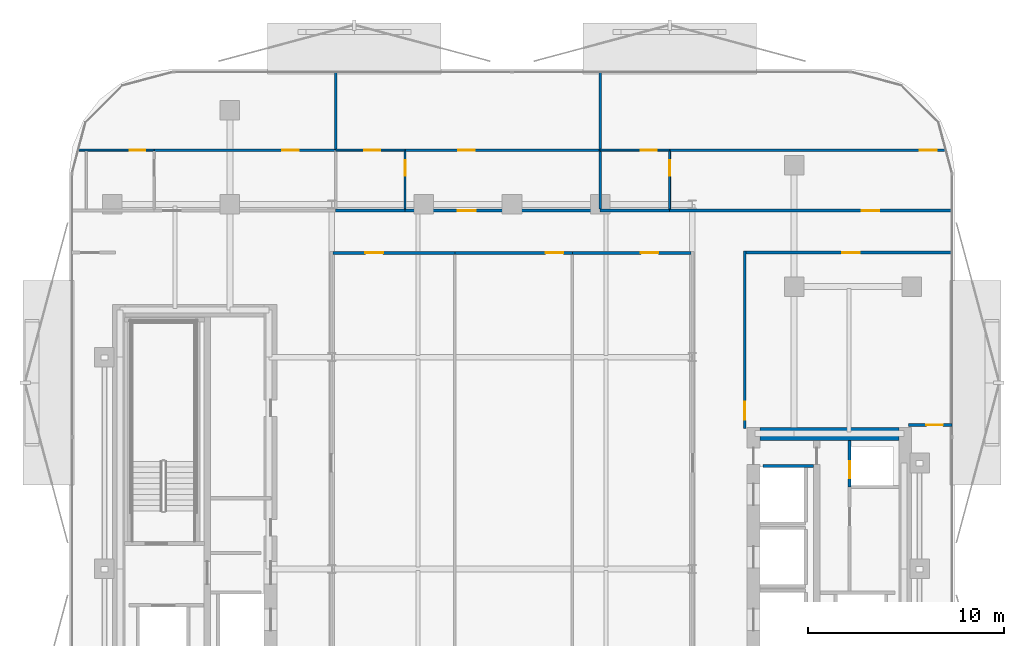
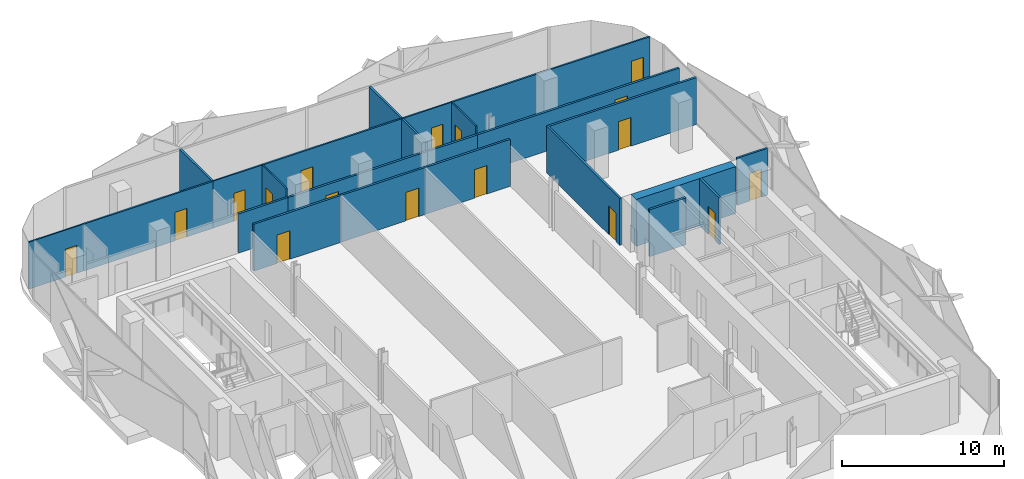
# One storey, part 6 of 16: 24 walls, 17 doors, 17 openings.
"""IFC4 building model written with IfcOpenShell, lengths in metres."""

from ifc_helpers import new_model, si_unit, direction, frame, frame_2d, origin, place, context, subcontext, project, spatial, rectangle, extrude, material, layer, layer_set, type_object, element, fill, save


model = new_model("IFC4")

# Units and contexts
model_context = context("Model", 3, precision=1e-05, world=origin(), true_north=direction((0.0, 1.0)))
body_context = subcontext(model_context, "Body", "Model", "MODEL_VIEW")
ifc_project = project(units=[si_unit("LENGTHUNIT", "METRE"), si_unit("AREAUNIT", "SQUARE_METRE"), si_unit("VOLUMEUNIT", "CUBIC_METRE"), si_unit("PLANEANGLEUNIT", "RADIAN"), si_unit("MASSUNIT", "GRAM", prefix="KILO")], contexts=[model_context])

# Site, building, storey
site_placement = place(None, origin())
site = spatial("IfcSite", under=ifc_project, at=site_placement, CompositionType="ELEMENT")
building_placement = place(site_placement, origin())
building = spatial("IfcBuilding", under=site, at=building_placement, Name="Khairoan Windgate Tower", CompositionType="ELEMENT")
storey_placement = place(building_placement, frame((0.0, 0.0, 187.800048828125)))
storey = spatial("IfcBuildingStorey", under=building, at=storey_placement, Name="L43", CompositionType="ELEMENT", Elevation=187.800048828125)

# Wall, opening, door
ifc_material_1 = material(Name="Moisture-Resistant Gypsum Partition", Category="gypsum")
ifc_layer_1 = layer(ifc_material_1, 0.10009765625, Name="Moisture-Resistant Gypsum Partition")
ifc_layer_set_1 = layer_set([ifc_layer_1], Name="Moisture-Resistant Gypsum Partition")
wall_type_1 = type_object("IfcWallType", Name="Bathroom Wet-Area Partition Wall", PredefinedType="PARTITIONING", material=ifc_layer_set_1)
wall_1_placement = place(storey_placement, frame((-22.1396484375, 21.3701171875, 0.0), z_axis=(0.0, 0.0, 1.0), x_axis=(1.0, 0.0, 0.0)))
wall_1 = element("IfcWall", 1, at=wall_1_placement, inside=storey, type_object=wall_type_1, Name="L43 Interior Partition 048", PredefinedType="PARTITIONING", context=body_context, shape_type="SweptSolid", body=[
    extrude(rectangle(XDim=3.879638671875, YDim=0.10009765625, at=frame_2d((1.93994140625, 0.0))), origin(), (0.0, 0.0, 1.0), 3.5400390625),
])
opening_1_placement = place(wall_1_placement, frame((2.61962890625, 0.0, 0.0)))
opening_1 = element("IfcOpeningElement", 2, at=opening_1_placement, cuts=wall_1, Name="Opening ID-BTH", PredefinedType="OPENING", context=body_context, shape_type="SweptSolid", body=[
    extrude(rectangle(XDim=0.800048828125, YDim=2.10009765625, at=frame_2d((0.39990234375, 1.050048828125))), frame((0.0, 0.06005859375, 0.0), z_axis=(0.0, -1.0, 0.0), x_axis=(1.0, 0.0, 0.0)), (0.0, 0.0, 1.0), 0.1201171875),
])
ifc_material_2 = material(Name="Teak Veneer Timber Leaf", Category="wood")
door_type_1 = type_object("IfcDoorType", Name="Internal Bathroom Door ID-BTH 800x2100", OperationType="NOTDEFINED", PredefinedType="DOOR", material=ifc_material_2)
door_1_placement = place(opening_1_placement, origin())
door_1 = element("IfcDoor", 3, at=door_1_placement, inside=storey, type_object=door_type_1, Name="L43 L43-39-L43-41 Door", OperationType="SINGLE_SWING_RIGHT", OverallHeight=2.10009765625, OverallWidth=0.800048828125, PredefinedType="DOOR", context=body_context, shape_type="SweptSolid", body=[
    extrude(rectangle(XDim=0.800048828125, YDim=2.10009765625, at=frame_2d((0.39990234375, 1.050048828125))), frame((0.0, 0.02490234375, 0.0), z_axis=(0.0, -1.0, 0.0), x_axis=(1.0, 0.0, 0.0)), (0.0, 0.0, 1.0), 0.050048828125),
])
fill(opening_1, door_1)

wall_2_placement = place(storey_placement, frame((-5.4599609375, 18.35498046875, 0.0), z_axis=(0.0, 0.0, 1.0), x_axis=(0.0, 1.0, 0.0)))
wall_2 = element("IfcWall", 4, at=wall_2_placement, inside=storey, type_object=wall_type_1, Name="L43 Interior Partition 052", PredefinedType="PARTITIONING", context=body_context, shape_type="SweptSolid", body=[
    extrude(rectangle(XDim=2.965087890625, YDim=0.10009765625, at=frame_2d((1.482421875, 0.0))), origin(), (0.0, 0.0, 1.0), 3.5400390625),
])
opening_2_placement = place(wall_2_placement, frame((1.705078125, 0.0, 0.0)))
opening_2 = element("IfcOpeningElement", 5, at=opening_2_placement, cuts=wall_2, Name="Opening ID-BTH", PredefinedType="OPENING", context=body_context, shape_type="SweptSolid", body=[
    extrude(rectangle(XDim=0.800048828125, YDim=2.10009765625, at=frame_2d((0.39990234375, 1.050048828125))), frame((0.0, 0.06005859375, 0.0), z_axis=(0.0, -1.0, 0.0), x_axis=(1.0, 0.0, 0.0)), (0.0, 0.0, 1.0), 0.1201171875),
])
door_2_placement = place(opening_2_placement, origin())
door_2 = element("IfcDoor", 6, at=door_2_placement, inside=storey, type_object=door_type_1, Name="L43 L43-42-L43-43 Door", OperationType="SINGLE_SWING_RIGHT", OverallHeight=2.10009765625, OverallWidth=0.800048828125, PredefinedType="DOOR", context=body_context, shape_type="SweptSolid", body=[
    extrude(rectangle(XDim=0.800048828125, YDim=2.10009765625, at=frame_2d((0.39990234375, 1.050048828125))), frame((0.0, 0.02490234375, 0.0), z_axis=(0.0, -1.0, 0.0), x_axis=(1.0, 0.0, 0.0)), (0.0, 0.0, 1.0), 0.050048828125),
])
fill(opening_2, door_2)

wall_3_placement = place(storey_placement, frame((-9.0, 21.3701171875, 0.0), z_axis=(0.0, 0.0, 1.0), x_axis=(1.0, 0.0, 0.0)))
wall_3 = element("IfcWall", 7, at=wall_3_placement, inside=storey, type_object=wall_type_1, Name="L43 Interior Partition 053", PredefinedType="PARTITIONING", context=body_context, shape_type="SweptSolid", body=[
    extrude(rectangle(XDim=3.5400390625, YDim=0.10009765625, at=frame_2d((1.77001953125, 0.0))), origin(), (0.0, 0.0, 1.0), 3.5400390625),
])
opening_3_placement = place(wall_3_placement, frame((1.47119140625, 0.0, 0.0)))
opening_3 = element("IfcOpeningElement", 8, at=opening_3_placement, cuts=wall_3, Name="Opening ID-BTH", PredefinedType="OPENING", context=body_context, shape_type="SweptSolid", body=[
    extrude(rectangle(XDim=0.800048828125, YDim=2.10009765625, at=frame_2d((0.39990234375, 1.050048828125))), frame((0.0, 0.06005859375, 0.0), z_axis=(0.0, -1.0, 0.0), x_axis=(1.0, 0.0, 0.0)), (0.0, 0.0, 1.0), 0.1201171875),
])
door_3_placement = place(opening_3_placement, origin())
door_3 = element("IfcDoor", 9, at=door_3_placement, inside=storey, type_object=door_type_1, Name="L43 L43-42-L43-44 Door", OperationType="SINGLE_SWING_LEFT", OverallHeight=2.10009765625, OverallWidth=0.800048828125, PredefinedType="DOOR", context=body_context, shape_type="SweptSolid", body=[
    extrude(rectangle(XDim=0.800048828125, YDim=2.10009765625, at=frame_2d((0.39990234375, 1.050048828125))), frame((0.0, 0.02490234375, 0.0), z_axis=(0.0, -1.0, 0.0), x_axis=(1.0, 0.0, 0.0)), (0.0, 0.0, 1.0), 0.050048828125),
])
fill(opening_3, door_3)

wall_4_placement = place(storey_placement, frame((8.0400390625, 18.35498046875, 0.0), z_axis=(0.0, 0.0, 1.0), x_axis=(0.0, 1.0, 0.0)))
wall_4 = element("IfcWall", 10, at=wall_4_placement, inside=storey, type_object=wall_type_1, Name="L43 Interior Partition 057", PredefinedType="PARTITIONING", context=body_context, shape_type="SweptSolid", body=[
    extrude(rectangle(XDim=2.965087890625, YDim=0.10009765625, at=frame_2d((1.482421875, 0.0))), origin(), (0.0, 0.0, 1.0), 3.5400390625),
])
opening_4_placement = place(wall_4_placement, frame((1.705078125, 0.0, 0.0)))
opening_4 = element("IfcOpeningElement", 11, at=opening_4_placement, cuts=wall_4, Name="Opening ID-BTH", PredefinedType="OPENING", context=body_context, shape_type="SweptSolid", body=[
    extrude(rectangle(XDim=0.800048828125, YDim=2.10009765625, at=frame_2d((0.39990234375, 1.050048828125))), frame((0.0, 0.06005859375, 0.0), z_axis=(0.0, -1.0, 0.0), x_axis=(1.0, 0.0, 0.0)), (0.0, 0.0, 1.0), 0.1201171875),
])
door_4_placement = place(opening_4_placement, origin())
door_4 = element("IfcDoor", 12, at=door_4_placement, inside=storey, type_object=door_type_1, Name="L43 L43-45-L43-46 Door", OperationType="SINGLE_SWING_LEFT", OverallHeight=2.10009765625, OverallWidth=0.800048828125, PredefinedType="DOOR", context=body_context, shape_type="SweptSolid", body=[
    extrude(rectangle(XDim=0.800048828125, YDim=2.10009765625, at=frame_2d((0.39990234375, 1.050048828125))), frame((0.0, 0.02490234375, 0.0), z_axis=(0.0, -1.0, 0.0), x_axis=(1.0, 0.0, 0.0)), (0.0, 0.0, 1.0), 0.050048828125),
])
fill(opening_4, door_4)

wall_5_placement = place(storey_placement, frame((4.5, 21.3701171875, 0.0), z_axis=(0.0, 0.0, 1.0), x_axis=(1.0, 0.0, 0.0)))
wall_5 = element("IfcWall", 13, at=wall_5_placement, inside=storey, type_object=wall_type_1, Name="L43 Interior Partition 058", PredefinedType="PARTITIONING", context=body_context, shape_type="SweptSolid", body=[
    extrude(rectangle(XDim=3.5400390625, YDim=0.10009765625, at=frame_2d((1.77001953125, 0.0))), origin(), (0.0, 0.0, 1.0), 3.5400390625),
])
opening_5_placement = place(wall_5_placement, frame((2.077880859375, 0.0, 0.0)))
opening_5 = element("IfcOpeningElement", 14, at=opening_5_placement, cuts=wall_5, Name="Opening ID-BTH", PredefinedType="OPENING", context=body_context, shape_type="SweptSolid", body=[
    extrude(rectangle(XDim=0.800048828125, YDim=2.10009765625, at=frame_2d((0.39990234375, 1.050048828125))), frame((0.0, 0.06005859375, 0.0), z_axis=(0.0, -1.0, 0.0), x_axis=(1.0, 0.0, 0.0)), (0.0, 0.0, 1.0), 0.1201171875),
])
door_5_placement = place(opening_5_placement, origin())
door_5 = element("IfcDoor", 15, at=door_5_placement, inside=storey, type_object=door_type_1, Name="L43 L43-45-L43-47 Door", OperationType="SINGLE_SWING_RIGHT", OverallHeight=2.10009765625, OverallWidth=0.800048828125, PredefinedType="DOOR", context=body_context, shape_type="SweptSolid", body=[
    extrude(rectangle(XDim=0.800048828125, YDim=2.10009765625, at=frame_2d((0.39990234375, 1.050048828125))), frame((0.0, 0.02490234375, 0.0), z_axis=(0.0, -1.0, 0.0), x_axis=(1.0, 0.0, 0.0)), (0.0, 0.0, 1.0), 0.050048828125),
])
fill(opening_5, door_5)

# Walls
ifc_material_3 = material(Name="Concrete C40/50", Category="concrete")
ifc_layer_2 = layer(ifc_material_3, 0.159912109375, Name="Concrete C40/50")
ifc_layer_set_2 = layer_set([ifc_layer_2], Name="Concrete C40/50")
wall_type_2 = type_object("IfcWallType", Name="Core and Hoistway Enclosure Wall", PredefinedType="STANDARD", material=ifc_layer_set_2)
wall_6_placement = place(storey_placement, frame((12.800048828125, 5.25, 0.0), z_axis=(0.0, 0.0, 1.0), x_axis=(1.0, 0.0, 0.0)))
element("IfcWall", 16, at=wall_6_placement, inside=storey, type_object=wall_type_2, Name="L43 Core Shaft Wall SW-ESV-L43", PredefinedType="STANDARD", context=body_context, shape_type="SweptSolid", body=[
    extrude(rectangle(XDim=2.599853515625, YDim=0.159912109375, at=frame_2d((1.2998046875, 0.0))), origin(), (0.0, 0.0, 1.0), 3.5400390625),
])
ifc_material_4 = material(Name="Acoustic Fire-Rated Gypsum Partition", Category="gypsum")
ifc_layer_3 = layer(ifc_material_4, 0.139892578125, Name="Acoustic Fire-Rated Gypsum Partition")
ifc_layer_set_3 = layer_set([ifc_layer_3], Name="Acoustic Fire-Rated Gypsum Partition")
wall_type_3 = type_object("IfcWallType", Name="Inter-Tenancy Compartment Wall", PredefinedType="PARTITIONING", material=ifc_layer_set_3)
wall_7_placement = place(storey_placement, frame((-9.0, 21.3701171875, 0.0), z_axis=(0.0, 0.0, 1.0), x_axis=(0.0, 1.0, 0.0)))
element("IfcWall", 17, at=wall_7_placement, inside=storey, type_object=wall_type_3, Name="L43 Interior Partition 051", PredefinedType="PARTITIONING", context=body_context, shape_type="SweptSolid", body=[
    extrude(rectangle(XDim=3.98486328125, YDim=0.139892578125, at=frame_2d((1.992431640625, 0.0))), origin(), (0.0, 0.0, 1.0), 3.5400390625),
])
wall_8_placement = place(storey_placement, frame((4.5, 18.35498046875, 0.0), z_axis=(0.0, 0.0, 1.0), x_axis=(0.0, 1.0, 0.0)))
element("IfcWall", 18, at=wall_8_placement, inside=storey, type_object=wall_type_3, Name="L43 Interior Partition 055", PredefinedType="PARTITIONING", context=body_context, shape_type="SweptSolid", body=[
    extrude(rectangle(XDim=3.01513671875, YDim=0.139892578125, at=frame_2d((1.507568359375, 0.0))), origin(), (0.0, 0.0, 1.0), 3.5400390625),
])
wall_9_placement = place(storey_placement, frame((4.5, 21.3701171875, 0.0), z_axis=(0.0, 0.0, 1.0), x_axis=(0.0, 1.0, 0.0)))
element("IfcWall", 19, at=wall_9_placement, inside=storey, type_object=wall_type_3, Name="L43 Interior Partition 056", PredefinedType="PARTITIONING", context=body_context, shape_type="SweptSolid", body=[
    extrude(rectangle(XDim=3.98486328125, YDim=0.139892578125, at=frame_2d((1.992431640625, 0.0))), origin(), (0.0, 0.0, 1.0), 3.5400390625),
])

# Wall, opening, door
wall_10_placement = place(storey_placement, frame((20.239990234375, 7.340087890625, 0.0), z_axis=(0.0, 0.0, 1.0), x_axis=(1.0, 0.0, 0.0)))
wall_10 = element("IfcWall", 20, at=wall_10_placement, inside=storey, type_object=wall_type_3, Name="L43 Interior Partition 068", PredefinedType="PARTITIONING", context=body_context, shape_type="SweptSolid", body=[
    extrude(rectangle(XDim=2.215087890625, YDim=0.139892578125, at=frame_2d((1.107421875, 0.0))), origin(), (0.0, 0.0, 1.0), 3.5400390625),
])
opening_6_placement = place(wall_10_placement, frame((0.905029296875, 0.0, 0.0)))
opening_6 = element("IfcOpeningElement", 21, at=opening_6_placement, cuts=wall_10, Name="Opening FD-SRV", PredefinedType="OPENING", context=body_context, shape_type="SweptSolid", body=[
    extrude(rectangle(XDim=0.85009765625, YDim=2.10009765625, at=frame_2d((0.425048828125, 1.050048828125))), frame((0.0, 0.079833984375, 0.0), z_axis=(0.0, -1.0, 0.0), x_axis=(1.0, 0.0, 0.0)), (0.0, 0.0, 1.0), 0.159912109375),
])
ifc_material_5 = material(Name="Steel S355", Category="steel")
door_type_2 = type_object("IfcDoorType", Name="Core Service and Riser Fire Door FD-SRV 850x2100", OperationType="NOTDEFINED", PredefinedType="DOOR", material=ifc_material_5)
door_6_placement = place(opening_6_placement, origin())
door_6 = element("IfcDoor", 22, at=door_6_placement, inside=storey, type_object=door_type_2, Name="L43 L43-54-L43-56 Door", OperationType="SINGLE_SWING_RIGHT", OverallHeight=2.10009765625, OverallWidth=0.85009765625, PredefinedType="DOOR", context=body_context, shape_type="SweptSolid", body=[
    extrude(rectangle(XDim=0.85009765625, YDim=2.10009765625, at=frame_2d((0.425048828125, 1.050048828125))), frame((0.0, 0.02490234375, 0.0), z_axis=(0.0, -1.0, 0.0), x_axis=(1.0, 0.0, 0.0)), (0.0, 0.0, 1.0), 0.050048828125),
])
fill(opening_6, door_6)

ifc_material_6 = material(Name="Gypsum Stud Partition", Category="gypsum")
ifc_layer_4 = layer(ifc_material_6, 0.1201171875, Name="Gypsum Stud Partition")
ifc_layer_set_4 = layer_set([ifc_layer_4], Name="Gypsum Stud Partition")
wall_type_4 = type_object("IfcWallType", Name="Internal Room Partition Wall", PredefinedType="PARTITIONING", material=ifc_layer_set_4)
wall_11_placement = place(storey_placement, frame((-18.260009765625, 21.3701171875, 0.0), z_axis=(0.0, 0.0, 1.0), x_axis=(1.0, 0.0, 0.0)))
wall_11 = element("IfcWall", 23, at=wall_11_placement, inside=storey, type_object=wall_type_4, Name="L43 Interior Partition 049", PredefinedType="PARTITIONING", context=body_context, shape_type="SweptSolid", body=[
    extrude(rectangle(XDim=9.260009765625, YDim=0.1201171875, at=frame_2d((4.6298828125, 0.0))), origin(), (0.0, 0.0, 1.0), 3.5400390625),
])
opening_7_placement = place(wall_11_placement, frame((6.52490234375, 0.0, 0.0)))
opening_7 = element("IfcOpeningElement", 24, at=opening_7_placement, cuts=wall_11, Name="Opening ID-RM", PredefinedType="OPENING", context=body_context, shape_type="SweptSolid", body=[
    extrude(rectangle(XDim=0.860107421875, YDim=2.14990234375, at=frame_2d((0.43017578125, 1.074951171875))), frame((0.0, 0.070068359375, 0.0), z_axis=(0.0, -1.0, 0.0), x_axis=(1.0, 0.0, 0.0)), (0.0, 0.0, 1.0), 0.14013671875),
])
ifc_material_7 = material(Name="Teak Veneer Timber Leaf", Category="wood")
door_type_3 = type_object("IfcDoorType", Name="Internal Bedroom and Office Door ID-RM 860x2150", OperationType="NOTDEFINED", PredefinedType="DOOR", material=ifc_material_7)
door_7_placement = place(opening_7_placement, origin())
door_7 = element("IfcDoor", 25, at=door_7_placement, inside=storey, type_object=door_type_3, Name="L43 L43-40-L43-41 Door", OperationType="SINGLE_SWING_LEFT", OverallHeight=2.14990234375, OverallWidth=0.860107421875, PredefinedType="DOOR", context=body_context, shape_type="SweptSolid", body=[
    extrude(rectangle(XDim=0.860107421875, YDim=2.14990234375, at=frame_2d((0.43017578125, 1.074951171875))), frame((0.0, 0.02490234375, 0.0), z_axis=(0.0, -1.0, 0.0), x_axis=(1.0, 0.0, 0.0)), (0.0, 0.0, 1.0), 0.050048828125),
])
fill(opening_7, door_7)

wall_12_placement = place(storey_placement, frame((-5.4599609375, 21.3701171875, 0.0), z_axis=(0.0, 0.0, 1.0), x_axis=(1.0, 0.0, 0.0)))
wall_12 = element("IfcWall", 26, at=wall_12_placement, inside=storey, type_object=wall_type_4, Name="L43 Interior Partition 054", PredefinedType="PARTITIONING", context=body_context, shape_type="SweptSolid", body=[
    extrude(rectangle(XDim=9.9599609375, YDim=0.1201171875, at=frame_2d((4.97998046875, 0.0))), origin(), (0.0, 0.0, 1.0), 3.5400390625),
])
opening_8_placement = place(wall_12_placement, frame((2.70947265625, 0.0, 0.0)))
opening_8 = element("IfcOpeningElement", 27, at=opening_8_placement, cuts=wall_12, Name="Opening ID-RM", PredefinedType="OPENING", context=body_context, shape_type="SweptSolid", body=[
    extrude(rectangle(XDim=0.860107421875, YDim=2.14990234375, at=frame_2d((0.43017578125, 1.074951171875))), frame((0.0, 0.070068359375, 0.0), z_axis=(0.0, -1.0, 0.0), x_axis=(1.0, 0.0, 0.0)), (0.0, 0.0, 1.0), 0.14013671875),
])
door_8_placement = place(opening_8_placement, origin())
door_8 = element("IfcDoor", 28, at=door_8_placement, inside=storey, type_object=door_type_3, Name="L43 L43-43-L43-44 Door", OperationType="SINGLE_SWING_RIGHT", OverallHeight=2.14990234375, OverallWidth=0.860107421875, PredefinedType="DOOR", context=body_context, shape_type="SweptSolid", body=[
    extrude(rectangle(XDim=0.860107421875, YDim=2.14990234375, at=frame_2d((0.43017578125, 1.074951171875))), frame((0.0, 0.02490234375, 0.0), z_axis=(0.0, -1.0, 0.0), x_axis=(1.0, 0.0, 0.0)), (0.0, 0.0, 1.0), 0.050048828125),
])
fill(opening_8, door_8)

wall_13_placement = place(storey_placement, frame((8.0400390625, 21.3701171875, 0.0), z_axis=(0.0, 0.0, 1.0), x_axis=(1.0, 0.0, 0.0)))
wall_13 = element("IfcWall", 29, at=wall_13_placement, inside=storey, type_object=wall_type_4, Name="L43 Interior Partition 059", PredefinedType="PARTITIONING", context=body_context, shape_type="SweptSolid", body=[
    extrude(rectangle(XDim=14.099609375, YDim=0.1201171875, at=frame_2d((7.0498046875, 0.0))), origin(), (0.0, 0.0, 1.0), 3.5400390625),
])
opening_9_placement = place(wall_13_placement, frame((12.779541015625, 0.0, 0.0)))
opening_9 = element("IfcOpeningElement", 30, at=opening_9_placement, cuts=wall_13, Name="Opening ID-RM", PredefinedType="OPENING", context=body_context, shape_type="SweptSolid", body=[
    extrude(rectangle(XDim=0.860107421875, YDim=2.14990234375, at=frame_2d((0.43017578125, 1.074951171875))), frame((0.0, 0.070068359375, 0.0), z_axis=(0.0, -1.0, 0.0), x_axis=(1.0, 0.0, 0.0)), (0.0, 0.0, 1.0), 0.14013671875),
])
door_9_placement = place(opening_9_placement, origin())
door_9 = element("IfcDoor", 31, at=door_9_placement, inside=storey, type_object=door_type_3, Name="L43 L43-46-L43-47 Door", OperationType="SINGLE_SWING_LEFT", OverallHeight=2.14990234375, OverallWidth=0.860107421875, PredefinedType="DOOR", context=body_context, shape_type="SweptSolid", body=[
    extrude(rectangle(XDim=0.860107421875, YDim=2.14990234375, at=frame_2d((0.43017578125, 1.074951171875))), frame((0.0, 0.02490234375, 0.0), z_axis=(0.0, -1.0, 0.0), x_axis=(1.0, 0.0, 0.0)), (0.0, 0.0, 1.0), 0.050048828125),
])
fill(opening_9, door_9)

ifc_material_8 = material(Name="Concrete C40/50", Category="concrete")
ifc_layer_5 = layer(ifc_material_8, 0.159912109375, Name="Concrete C40/50")
ifc_layer_set_5 = layer_set([ifc_layer_5], Name="Concrete C40/50")
wall_type_5 = type_object("IfcWallType", Name="Plant and Refuge Compartment Wall", PredefinedType="PARTITIONING", material=ifc_layer_set_5)
wall_14_placement = place(storey_placement, frame((17.22998046875, 4.169921875, 0.0), z_axis=(0.0, 0.0, 1.0), x_axis=(0.0, 1.0, 0.0)))
wall_14 = element("IfcWall", 32, at=wall_14_placement, inside=storey, type_object=wall_type_5, Name="L43 Interior Partition 007", PredefinedType="PARTITIONING", context=body_context, shape_type="SweptSolid", body=[
    extrude(rectangle(XDim=2.380126953125, YDim=0.159912109375, at=frame_2d((1.18994140625, 0.0))), origin(), (0.0, 0.0, 1.0), 3.5400390625),
])
opening_10_placement = place(wall_14_placement, frame((0.4599609375, 0.0, 0.0)))
opening_10 = element("IfcOpeningElement", 33, at=opening_10_placement, cuts=wall_14, Name="Opening FD-SRV", PredefinedType="OPENING", context=body_context, shape_type="SweptSolid", body=[
    extrude(rectangle(XDim=0.85009765625, YDim=2.10009765625, at=frame_2d((0.425048828125, 1.050048828125))), frame((0.0, 0.08984375, 0.0), z_axis=(0.0, -1.0, 0.0), x_axis=(1.0, 0.0, 0.0)), (0.0, 0.0, 1.0), 0.179931640625),
])
door_10_placement = place(opening_10_placement, origin())
door_10 = element("IfcDoor", 34, at=door_10_placement, inside=storey, type_object=door_type_2, Name="L43 L43-18-L43-19 Door", OperationType="SINGLE_SWING_RIGHT", OverallHeight=2.10009765625, OverallWidth=0.85009765625, PredefinedType="DOOR", context=body_context, shape_type="SweptSolid", body=[
    extrude(rectangle(XDim=0.85009765625, YDim=2.10009765625, at=frame_2d((0.425048828125, 1.050048828125))), frame((0.0, 0.02490234375, 0.0), z_axis=(0.0, -1.0, 0.0), x_axis=(1.0, 0.0, 0.0)), (0.0, 0.0, 1.0), 0.050048828125),
])
fill(opening_10, door_10)

ifc_material_9 = material(Name="Acoustic Fire-Rated Gypsum Partition", Category="gypsum")
ifc_layer_6 = layer(ifc_material_9, 0.14990234375, Name="Acoustic Fire-Rated Gypsum Partition")
ifc_layer_set_6 = layer_set([ifc_layer_6], Name="Acoustic Fire-Rated Gypsum Partition")
wall_type_6 = type_object("IfcWallType", Name="Rated Corridor Partition Wall", PredefinedType="PARTITIONING", material=ifc_layer_set_6)
wall_15_placement = place(storey_placement, frame((11.8798828125, 7.159912109375, 0.0), z_axis=(0.0, 0.0, 1.0), x_axis=(0.0, 1.0, 0.0)))
wall_15 = element("IfcWall", 35, at=wall_15_placement, inside=storey, type_object=wall_type_6, Name="L43 Interior Partition 014", PredefinedType="PARTITIONING", context=body_context, shape_type="SweptSolid", body=[
    extrude(rectangle(XDim=9.05517578125, YDim=0.14990234375, at=frame_2d((4.527587890625, 0.0))), origin(), (0.0, 0.0, 1.0), 3.5400390625),
])
opening_11_placement = place(wall_15_placement, frame((0.4599609375, 0.0, 0.0)))
opening_11 = element("IfcOpeningElement", 36, at=opening_11_placement, cuts=wall_15, Name="Opening FD-ENT", PredefinedType="OPENING", context=body_context, shape_type="SweptSolid", body=[
    extrude(rectangle(XDim=0.89990234375, YDim=2.14990234375, at=frame_2d((0.449951171875, 1.074951171875))), frame((0.0, 0.0849609375, 0.0), z_axis=(0.0, -1.0, 0.0), x_axis=(1.0, 0.0, 0.0)), (0.0, 0.0, 1.0), 0.169921875),
])
ifc_material_10 = material(Name="Timber Fire-Rated Core", Category="wood")
door_type_4 = type_object("IfcDoorType", Name="Unit and Office Fire Entrance Door FD-ENT 900x2150", OperationType="NOTDEFINED", PredefinedType="DOOR", material=ifc_material_10)
door_11_placement = place(opening_11_placement, origin())
door_11 = element("IfcDoor", 37, at=door_11_placement, inside=storey, type_object=door_type_4, Name="L43 L43-28-L43-54 Door", OperationType="SINGLE_SWING_RIGHT", OverallHeight=2.14990234375, OverallWidth=0.89990234375, PredefinedType="DOOR", context=body_context, shape_type="SweptSolid", body=[
    extrude(rectangle(XDim=0.89990234375, YDim=2.14990234375, at=frame_2d((0.449951171875, 1.074951171875))), frame((0.0, 0.02490234375, 0.0), z_axis=(0.0, -1.0, 0.0), x_axis=(1.0, 0.0, 0.0)), (0.0, 0.0, 1.0), 0.050048828125),
])
fill(opening_11, door_11)

wall_16_placement = place(storey_placement, frame((-9.14501953125, 16.1201171875, 0.0), z_axis=(0.0, 0.0, 1.0), x_axis=(1.0, 0.0, 0.0)))
wall_16 = element("IfcWall", 38, at=wall_16_placement, inside=storey, type_object=wall_type_6, Name="L43 Interior Partition 015", PredefinedType="PARTITIONING", context=body_context, shape_type="SweptSolid", body=[
    extrude(rectangle(XDim=6.22509765625, YDim=0.14990234375, at=frame_2d((3.112548828125, 0.0))), origin(), (0.0, 0.0, 1.0), 3.5400390625),
])
opening_12_placement = place(wall_16_placement, frame((1.661376953125, 0.0, 0.0)))
opening_12 = element("IfcOpeningElement", 39, at=opening_12_placement, cuts=wall_16, Name="Opening FD-ENT", PredefinedType="OPENING", context=body_context, shape_type="SweptSolid", body=[
    extrude(rectangle(XDim=0.89990234375, YDim=2.14990234375, at=frame_2d((0.449951171875, 1.074951171875))), frame((0.0, 0.0849609375, 0.0), z_axis=(0.0, -1.0, 0.0), x_axis=(1.0, 0.0, 0.0)), (0.0, 0.0, 1.0), 0.169921875),
])
door_12_placement = place(opening_12_placement, origin())
door_12 = element("IfcDoor", 40, at=door_12_placement, inside=storey, type_object=door_type_4, Name="L43 L43-29-L43-36 Door", OperationType="SINGLE_SWING_LEFT", OverallHeight=2.14990234375, OverallWidth=0.89990234375, PredefinedType="DOOR", context=body_context, shape_type="SweptSolid", body=[
    extrude(rectangle(XDim=0.89990234375, YDim=2.14990234375, at=frame_2d((0.449951171875, 1.074951171875))), frame((0.0, 0.02490234375, 0.0), z_axis=(0.0, -1.0, 0.0), x_axis=(1.0, 0.0, 0.0)), (0.0, 0.0, 1.0), 0.050048828125),
])
fill(opening_12, door_12)

wall_17_placement = place(storey_placement, frame((-2.919921875, 16.1201171875, 0.0), z_axis=(0.0, 0.0, 1.0), x_axis=(1.0, 0.0, 0.0)))
wall_17 = element("IfcWall", 41, at=wall_17_placement, inside=storey, type_object=wall_type_6, Name="L43 Interior Partition 016", PredefinedType="PARTITIONING", context=body_context, shape_type="SweptSolid", body=[
    extrude(rectangle(XDim=6.0, YDim=0.14990234375, at=frame_2d((3.0, 0.0))), origin(), (0.0, 0.0, 1.0), 3.5400390625),
])
opening_13_placement = place(wall_17_placement, frame((4.639892578125, 0.0, 0.0)))
opening_13 = element("IfcOpeningElement", 42, at=opening_13_placement, cuts=wall_17, Name="Opening FD-ENT", PredefinedType="OPENING", context=body_context, shape_type="SweptSolid", body=[
    extrude(rectangle(XDim=0.89990234375, YDim=2.14990234375, at=frame_2d((0.449951171875, 1.074951171875))), frame((0.0, 0.0849609375, 0.0), z_axis=(0.0, -1.0, 0.0), x_axis=(1.0, 0.0, 0.0)), (0.0, 0.0, 1.0), 0.169921875),
])
door_13_placement = place(opening_13_placement, origin())
door_13 = element("IfcDoor", 43, at=door_13_placement, inside=storey, type_object=door_type_4, Name="L43 L43-29-L43-37 Door", OperationType="SINGLE_SWING_RIGHT", OverallHeight=2.14990234375, OverallWidth=0.89990234375, PredefinedType="DOOR", context=body_context, shape_type="SweptSolid", body=[
    extrude(rectangle(XDim=0.89990234375, YDim=2.14990234375, at=frame_2d((0.449951171875, 1.074951171875))), frame((0.0, 0.02490234375, 0.0), z_axis=(0.0, -1.0, 0.0), x_axis=(1.0, 0.0, 0.0)), (0.0, 0.0, 1.0), 0.050048828125),
])
fill(opening_13, door_13)

wall_18_placement = place(storey_placement, frame((3.080078125, 16.1201171875, 0.0), z_axis=(0.0, 0.0, 1.0), x_axis=(1.0, 0.0, 0.0)))
wall_18 = element("IfcWall", 44, at=wall_18_placement, inside=storey, type_object=wall_type_6, Name="L43 Interior Partition 017", PredefinedType="PARTITIONING", context=body_context, shape_type="SweptSolid", body=[
    extrude(rectangle(XDim=6.06494140625, YDim=0.14990234375, at=frame_2d((3.032470703125, 0.0))), origin(), (0.0, 0.0, 1.0), 3.5400390625),
])
opening_14_placement = place(wall_18_placement, frame((3.4921875, 0.0, 0.0)))
opening_14 = element("IfcOpeningElement", 45, at=opening_14_placement, cuts=wall_18, Name="Opening FD-ENT", PredefinedType="OPENING", context=body_context, shape_type="SweptSolid", body=[
    extrude(rectangle(XDim=0.89990234375, YDim=2.14990234375, at=frame_2d((0.449951171875, 1.074951171875))), frame((0.0, 0.0849609375, 0.0), z_axis=(0.0, -1.0, 0.0), x_axis=(1.0, 0.0, 0.0)), (0.0, 0.0, 1.0), 0.169921875),
])
door_14_placement = place(opening_14_placement, origin())
door_14 = element("IfcDoor", 46, at=door_14_placement, inside=storey, type_object=door_type_4, Name="L43 L43-29-L43-38 Door", OperationType="SINGLE_SWING_LEFT", OverallHeight=2.14990234375, OverallWidth=0.89990234375, PredefinedType="DOOR", context=body_context, shape_type="SweptSolid", body=[
    extrude(rectangle(XDim=0.89990234375, YDim=2.14990234375, at=frame_2d((0.449951171875, 1.074951171875))), frame((0.0, 0.02490234375, 0.0), z_axis=(0.0, -1.0, 0.0), x_axis=(1.0, 0.0, 0.0)), (0.0, 0.0, 1.0), 0.050048828125),
])
fill(opening_14, door_14)

# Wall
wall_19_placement = place(storey_placement, frame((-9.0, 18.280029296875, 0.0), z_axis=(0.0, 0.0, 1.0), x_axis=(1.0, 0.0, 0.0)))
element("IfcWall", 47, at=wall_19_placement, inside=storey, type_object=wall_type_6, Name="L43 Interior Partition 020", PredefinedType="PARTITIONING", context=body_context, shape_type="SweptSolid", body=[
    extrude(rectangle(XDim=3.5400390625, YDim=0.14990234375, at=frame_2d((1.77001953125, 0.0))), origin(), (0.0, 0.0, 1.0), 2.951904296875),
])

# Wall, opening, door
wall_20_placement = place(storey_placement, frame((-5.4599609375, 18.280029296875, 0.0), z_axis=(0.0, 0.0, 1.0), x_axis=(1.0, 0.0, 0.0)))
wall_20 = element("IfcWall", 48, at=wall_20_placement, inside=storey, type_object=wall_type_6, Name="L43 Interior Partition 021", PredefinedType="PARTITIONING", context=body_context, shape_type="SweptSolid", body=[
    extrude(rectangle(XDim=9.9599609375, YDim=0.14990234375, at=frame_2d((4.97998046875, 0.0))), origin(), (0.0, 0.0, 1.0), 2.951904296875),
])
opening_15_placement = place(wall_20_placement, frame((2.698486328125, 0.0, 0.0)))
opening_15 = element("IfcOpeningElement", 49, at=opening_15_placement, cuts=wall_20, Name="Opening FD-ENT", PredefinedType="OPENING", context=body_context, shape_type="SweptSolid", body=[
    extrude(rectangle(XDim=0.89990234375, YDim=2.14990234375, at=frame_2d((0.449951171875, 1.074951171875))), frame((0.0, 0.0849609375, 0.0), z_axis=(0.0, -1.0, 0.0), x_axis=(1.0, 0.0, 0.0)), (0.0, 0.0, 1.0), 0.169921875),
])
door_15_placement = place(opening_15_placement, origin())
door_15 = element("IfcDoor", 50, at=door_15_placement, inside=storey, type_object=door_type_4, Name="L43 L43-29-L43-43 Door", OperationType="SINGLE_SWING_LEFT", OverallHeight=2.14990234375, OverallWidth=0.89990234375, PredefinedType="DOOR", context=body_context, shape_type="SweptSolid", body=[
    extrude(rectangle(XDim=0.89990234375, YDim=2.14990234375, at=frame_2d((0.449951171875, 1.074951171875))), frame((0.0, 0.02490234375, 0.0), z_axis=(0.0, -1.0, 0.0), x_axis=(1.0, 0.0, 0.0)), (0.0, 0.0, 1.0), 0.050048828125),
])
fill(opening_15, door_15)

# Wall
wall_21_placement = place(storey_placement, frame((4.5, 18.280029296875, 0.0), z_axis=(0.0, 0.0, 1.0), x_axis=(1.0, 0.0, 0.0)))
element("IfcWall", 51, at=wall_21_placement, inside=storey, type_object=wall_type_6, Name="L43 Interior Partition 022", PredefinedType="PARTITIONING", context=body_context, shape_type="SweptSolid", body=[
    extrude(rectangle(XDim=3.5400390625, YDim=0.14990234375, at=frame_2d((1.77001953125, 0.0))), origin(), (0.0, 0.0, 1.0), 2.951904296875),
])

# Wall, opening, door
wall_22_placement = place(storey_placement, frame((8.0400390625, 18.280029296875, 0.0), z_axis=(0.0, 0.0, 1.0), x_axis=(1.0, 0.0, 0.0)))
wall_22 = element("IfcWall", 52, at=wall_22_placement, inside=storey, type_object=wall_type_6, Name="L43 Interior Partition 023", PredefinedType="PARTITIONING", context=body_context, shape_type="SweptSolid", body=[
    extrude(rectangle(XDim=14.4150390625, YDim=0.14990234375, at=frame_2d((7.20751953125, 0.0))), origin(), (0.0, 0.0, 1.0), 2.951904296875),
])
opening_16_placement = place(wall_22_placement, frame((9.8046875, 0.0, 0.0)))
opening_16 = element("IfcOpeningElement", 53, at=opening_16_placement, cuts=wall_22, Name="Opening FD-ENT", PredefinedType="OPENING", context=body_context, shape_type="SweptSolid", body=[
    extrude(rectangle(XDim=0.89990234375, YDim=2.14990234375, at=frame_2d((0.449951171875, 1.074951171875))), frame((0.0, 0.0849609375, 0.0), z_axis=(0.0, -1.0, 0.0), x_axis=(1.0, 0.0, 0.0)), (0.0, 0.0, 1.0), 0.169921875),
])
door_16_placement = place(opening_16_placement, origin())
door_16 = element("IfcDoor", 54, at=door_16_placement, inside=storey, type_object=door_type_4, Name="L43 L43-29-L43-46 Door", OperationType="SINGLE_SWING_RIGHT", OverallHeight=2.14990234375, OverallWidth=0.89990234375, PredefinedType="DOOR", context=body_context, shape_type="SweptSolid", body=[
    extrude(rectangle(XDim=0.89990234375, YDim=2.14990234375, at=frame_2d((0.449951171875, 1.074951171875))), frame((0.0, 0.02490234375, 0.0), z_axis=(0.0, -1.0, 0.0), x_axis=(1.0, 0.0, 0.0)), (0.0, 0.0, 1.0), 0.050048828125),
])
fill(opening_16, door_16)

wall_23_placement = place(storey_placement, frame((11.955078125, 16.139892578125, 0.0), z_axis=(0.0, 0.0, 1.0), x_axis=(1.0, 0.0, 0.0)))
wall_23 = element("IfcWall", 55, at=wall_23_placement, inside=storey, type_object=wall_type_6, Name="L43 Interior Partition 024", PredefinedType="PARTITIONING", context=body_context, shape_type="SweptSolid", body=[
    extrude(rectangle(XDim=10.5, YDim=0.14990234375, at=frame_2d((5.25, 0.0))), origin(), (0.0, 0.0, 1.0), 3.5400390625),
])
opening_17_placement = place(wall_23_placement, frame((4.90087890625, 0.0, 0.0)))
opening_17 = element("IfcOpeningElement", 56, at=opening_17_placement, cuts=wall_23, Name="Opening FD-ENT", PredefinedType="OPENING", context=body_context, shape_type="SweptSolid", body=[
    extrude(rectangle(XDim=0.89990234375, YDim=2.14990234375, at=frame_2d((0.449951171875, 1.074951171875))), frame((0.0, 0.0849609375, 0.0), z_axis=(0.0, -1.0, 0.0), x_axis=(1.0, 0.0, 0.0)), (0.0, 0.0, 1.0), 0.169921875),
])
door_17_placement = place(opening_17_placement, origin())
door_17 = element("IfcDoor", 57, at=door_17_placement, inside=storey, type_object=door_type_4, Name="L43 L43-29-L43-54 Door", OperationType="SINGLE_SWING_LEFT", OverallHeight=2.14990234375, OverallWidth=0.89990234375, PredefinedType="DOOR", context=body_context, shape_type="SweptSolid", body=[
    extrude(rectangle(XDim=0.89990234375, YDim=2.14990234375, at=frame_2d((0.449951171875, 1.074951171875))), frame((0.0, 0.02490234375, 0.0), z_axis=(0.0, -1.0, 0.0), x_axis=(1.0, 0.0, 0.0)), (0.0, 0.0, 1.0), 0.050048828125),
])
fill(opening_17, door_17)

# Wall
ifc_material_11 = material(Name="Concrete C60/75", Category="concrete")
ifc_layer_7 = layer(ifc_material_11, 0.64990234375, Name="Concrete C60/75")
ifc_layer_set_7 = layer_set([ifc_layer_7], Name="Concrete C60/75")
wall_type_7 = type_object("IfcWallType", Name="Shear Wall CW-E2 650mm", PredefinedType="SHEAR", material=ifc_layer_set_7)
wall_24_placement = place(storey_placement, frame((12.64990234375, 6.875, 0.0), z_axis=(0.0, 0.0, 1.0), x_axis=(1.0, 0.0, 0.0)))
element("IfcWall", 58, at=wall_24_placement, inside=storey, type_object=wall_type_7, Name="E Core North Shear Wall L43", PredefinedType="SHEAR", context=body_context, shape_type="SweptSolid", body=[
    extrude(rectangle(XDim=7.10009765625, YDim=0.64990234375, at=frame_2d((3.550048828125, 0.0))), origin(), (0.0, 0.0, 1.0), 3.5400390625),
])

save(model, "model.ifc")
